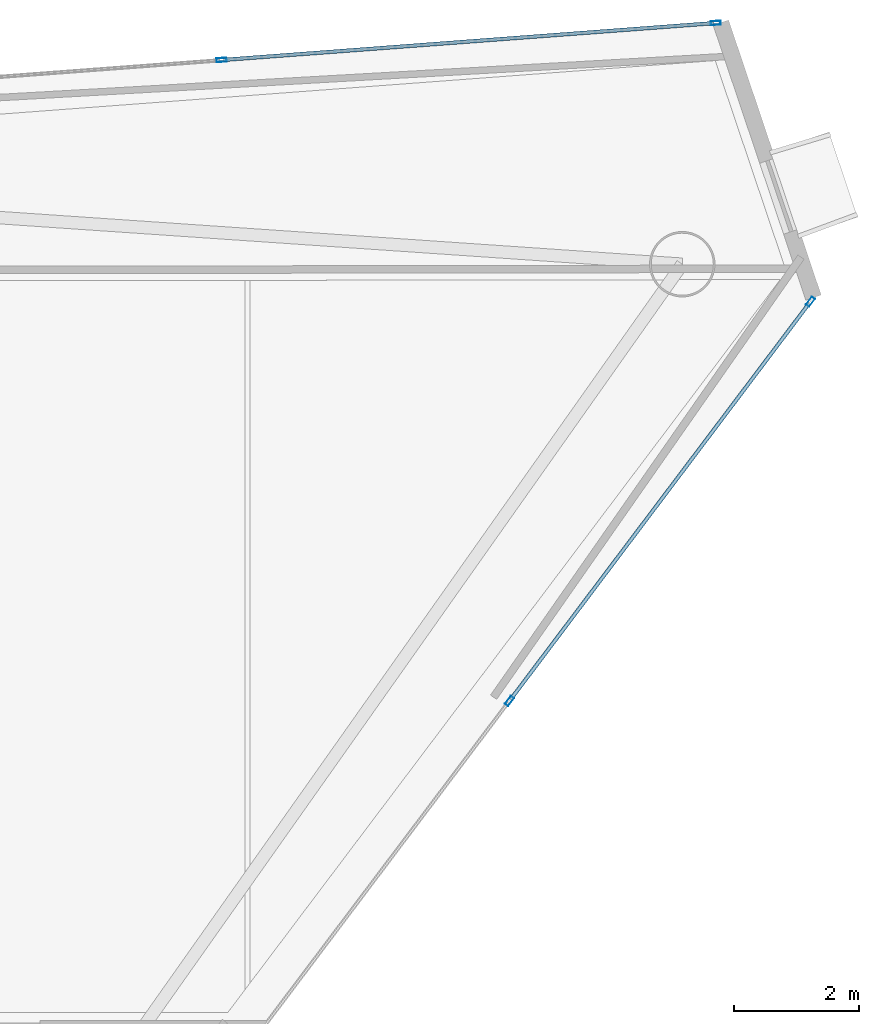
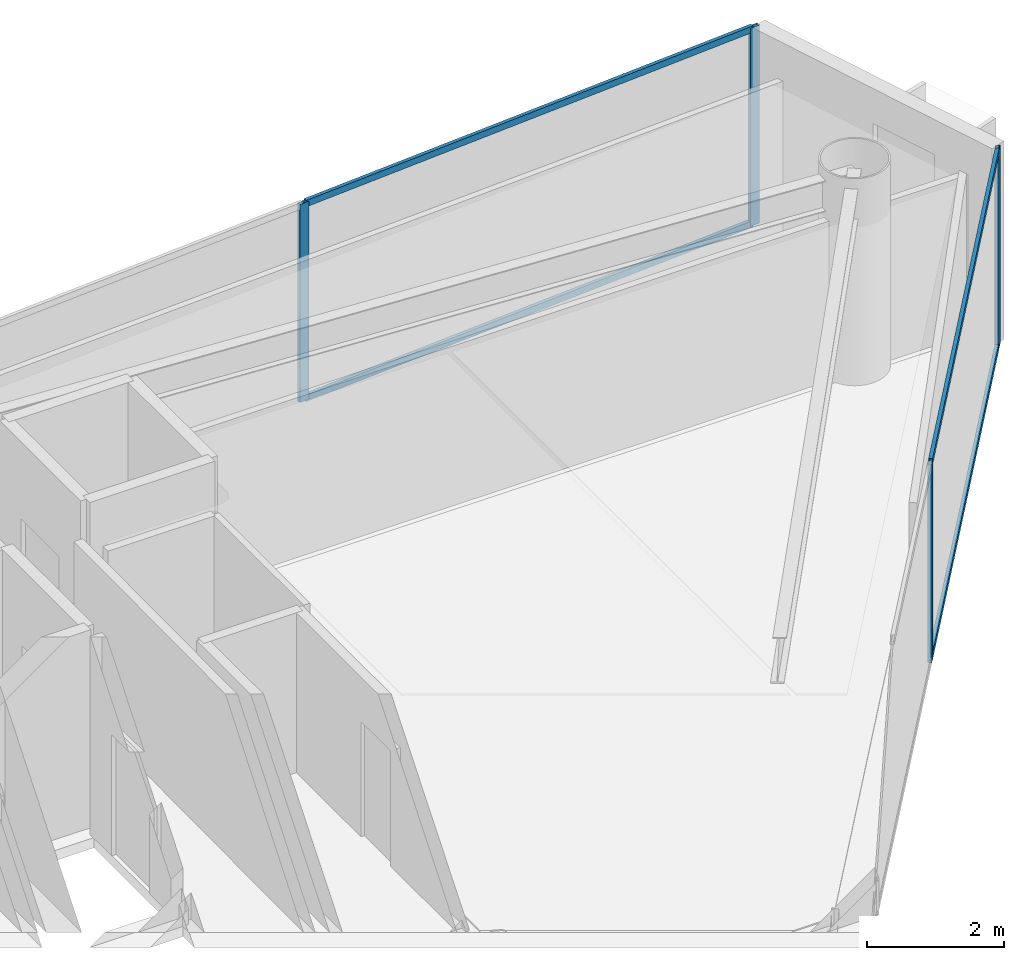
# One storey, part 12 of 19: 8 members, 2 elements without a shape of their own.
"""IFC4 building model written with IfcOpenShell, lengths in metres."""

from ifc_helpers import new_model, si_unit, direction, frame, origin, origin_2d, place, context, subcontext, project, spatial, hollow_rectangle, extrude, material, layer, layer_set, material_profile, profile_set, type_object, element, aggregate, save


model = new_model("IFC4")

# Units and contexts
model_context = context("Model", 3, precision=1e-05, world=origin(), true_north=direction((0.0, 1.0)))
body_context = subcontext(model_context, "Body", "Model", "MODEL_VIEW")
ifc_project = project(units=[si_unit("LENGTHUNIT", "METRE"), si_unit("AREAUNIT", "SQUARE_METRE"), si_unit("VOLUMEUNIT", "CUBIC_METRE"), si_unit("PLANEANGLEUNIT", "RADIAN"), si_unit("MASSUNIT", "GRAM", prefix="KILO")], contexts=[model_context])

# Site, building, storey
site_placement = place(None, origin())
site = spatial("IfcSite", under=ifc_project, at=site_placement, CompositionType="ELEMENT")
building_placement = place(site_placement, origin())
building = spatial("IfcBuilding", under=site, at=building_placement, Name="Qianvela Tower", CompositionType="ELEMENT")
storey_placement = place(building_placement, frame((0.0, 0.0, 268.60009765625)))
storey = spatial("IfcBuildingStorey", under=building, at=storey_placement, Name="L69", CompositionType="ELEMENT", Elevation=268.60009765625)

# Curtain wall, members
ifc_material_1 = material(Name="Anodised Architectural Aluminium and Low-E Glass", Category="aluminium")
ifc_layer = layer(ifc_material_1, 0.159912109375)
ifc_layer_set = layer_set([ifc_layer], Name="Anodised Architectural Aluminium and Low-E Glass")
curtain_wall_type = type_object("IfcCurtainWallType", Name="CW-COLIV-Z56", PredefinedType="USERDEFINED", material=ifc_layer_set)
curtain_wall_1_placement = place(storey_placement, origin())
curtain_wall_1 = element("IfcCurtainWall", 1, at=curtain_wall_1_placement, inside=storey, type_object=curtain_wall_type, Name="L69 CW-COLIV-Z56 Curtain Wall 02A", ObjectType="CURTAIN_WALL_SYSTEM", PredefinedType="USERDEFINED")
ifc_material_2 = material(Name="Anodised Architectural Aluminium 6063-T6", Category="aluminium")
ifc_material_profile_1 = material_profile(ifc_material_2, hollow_rectangle(XDim=0.06494140625, YDim=0.159912109375, WallThickness=0.0048828125, at=origin_2d()), Name="ALU-MULL-65x160")
ifc_profile_set_1 = profile_set([ifc_material_profile_1], Name="Anodised Architectural Aluminium 6063-T6")
member_type_1 = type_object("IfcMemberType", Name="CW-COLIV-Z56-MULL", PredefinedType="MULLION", material=ifc_profile_set_1)
member_1_placement = place(storey_placement, frame((55.868408203125, 38.4697265625, 0.0), z_axis=(0.0, 0.0, 1.0), x_axis=(0.074755324891, -0.997201906035, 0.0)))
member_1 = element("IfcMember", 2, at=member_1_placement, type_object=member_type_1, Name="CW-5 mullion 1", PredefinedType="MULLION", context=body_context, shape_type="SweptSolid", body=[
    extrude(hollow_rectangle(XDim=0.06494140625, YDim=0.159912109375, WallThickness=0.0048828125, at=origin_2d()), origin(), (0.0, 0.0, 1.0), 3.52001953125),
])
member_2_placement = place(storey_placement, frame((47.952880859375, 37.87646484375, 0.0), z_axis=(0.0, 0.0, 1.0), x_axis=(0.074755324891, -0.997201906035, 0.0)))
member_2 = element("IfcMember", 3, at=member_2_placement, type_object=member_type_1, Name="CW-5 mullion 2", PredefinedType="MULLION", context=body_context, shape_type="SweptSolid", body=[
    extrude(hollow_rectangle(XDim=0.06494140625, YDim=0.159912109375, WallThickness=0.0048828125, at=origin_2d()), origin(), (0.0, 0.0, 1.0), 3.52001953125),
])

curtain_wall_2_placement = place(storey_placement, origin())
curtain_wall_2 = element("IfcCurtainWall", 4, at=curtain_wall_2_placement, inside=storey, type_object=curtain_wall_type, Name="L69 CW-COLIV-Z56 Curtain Wall 06C", ObjectType="CURTAIN_WALL_SYSTEM", PredefinedType="USERDEFINED")
member_3_placement = place(storey_placement, frame((52.563720703125, 27.607421875, 0.0), z_axis=(0.0, 0.0, 1.0), x_axis=(-0.798563153146, 0.601911031996, 0.0)))
member_3 = element("IfcMember", 5, at=member_3_placement, type_object=member_type_1, Name="CW-5 mullion 2", PredefinedType="MULLION", context=body_context, shape_type="SweptSolid", body=[
    extrude(hollow_rectangle(XDim=0.06494140625, YDim=0.159912109375, WallThickness=0.0048828125, at=origin_2d()), origin(), (0.0, 0.0, 1.0), 3.52001953125),
])
member_4_placement = place(storey_placement, frame((57.38525390625, 34.004150390625, 0.0), z_axis=(0.0, 0.0, 1.0), x_axis=(-0.798563153146, 0.601911031996, 0.0)))
member_4 = element("IfcMember", 6, at=member_4_placement, type_object=member_type_1, Name="CW-5 mullion 3", PredefinedType="MULLION", context=body_context, shape_type="SweptSolid", body=[
    extrude(hollow_rectangle(XDim=0.06494140625, YDim=0.159912109375, WallThickness=0.0048828125, at=origin_2d()), origin(), (0.0, 0.0, 1.0), 3.52001953125),
])

# Member
ifc_material_3 = material(Name="Anodised Architectural Aluminium 6063-T6", Category="aluminium")
ifc_material_profile_2 = material_profile(ifc_material_3, hollow_rectangle(XDim=0.06005859375, YDim=0.114990234375, WallThickness=0.00390625, at=origin_2d()), Name="ALU-TRAN-60x115")
ifc_profile_set_2 = profile_set([ifc_material_profile_2], Name="Anodised Architectural Aluminium 6063-T6")
member_type_2 = type_object("IfcMemberType", Name="CW-COLIV-Z56-TRAN", PredefinedType="USERDEFINED", material=ifc_profile_set_2)
member_5_placement = place(storey_placement, frame((55.8359375, 38.46728515625, 0.02978515625), z_axis=(-0.99720324035, -0.074737523611, 0.0), x_axis=(0.074737523611, -0.99720324035, 0.0)))
member_5 = element("IfcMember", 7, at=member_5_placement, type_object=member_type_2, Name="CW-5 transom 1.1", ObjectType="TRANSOM", PredefinedType="USERDEFINED", context=body_context, shape_type="SweptSolid", body=[
    extrude(hollow_rectangle(XDim=0.06005859375, YDim=0.114990234375, WallThickness=0.00390625, at=origin_2d()), origin(), (0.0, 0.0, 1.0), 7.87255859375),
])

member_6_placement = place(storey_placement, frame((55.8359375, 38.46728515625, 3.489990234375), z_axis=(-0.99720324035, -0.074737523611, 0.0), x_axis=(0.074737523611, -0.99720324035, 0.0)))
member_6 = element("IfcMember", 8, at=member_6_placement, type_object=member_type_2, Name="CW-5 transom 1.2", ObjectType="TRANSOM", PredefinedType="USERDEFINED", context=body_context, shape_type="SweptSolid", body=[
    extrude(hollow_rectangle(XDim=0.06005859375, YDim=0.114990234375, WallThickness=0.00390625, at=origin_2d()), origin(), (0.0, 0.0, 1.0), 7.87255859375),
])

aggregate(curtain_wall_1, [member_1, member_2, member_5, member_6])

member_7_placement = place(storey_placement, frame((52.583251953125, 27.63330078125, 0.02978515625), z_axis=(0.601891137309, 0.798578148229, 0.0), x_axis=(-0.798578148229, 0.601891137309, 0.0)))
member_7 = element("IfcMember", 9, at=member_7_placement, type_object=member_type_2, Name="CW-5 transom 2.1", ObjectType="TRANSOM", PredefinedType="USERDEFINED", context=body_context, shape_type="SweptSolid", body=[
    extrude(hollow_rectangle(XDim=0.06005859375, YDim=0.114990234375, WallThickness=0.00390625, at=origin_2d()), origin(), (0.0, 0.0, 1.0), 7.9453125),
])

member_8_placement = place(storey_placement, frame((52.583251953125, 27.63330078125, 3.489990234375), z_axis=(0.601891137309, 0.798578148229, 0.0), x_axis=(-0.798578148229, 0.601891137309, 0.0)))
member_8 = element("IfcMember", 10, at=member_8_placement, type_object=member_type_2, Name="CW-5 transom 2.2", ObjectType="TRANSOM", PredefinedType="USERDEFINED", context=body_context, shape_type="SweptSolid", body=[
    extrude(hollow_rectangle(XDim=0.06005859375, YDim=0.114990234375, WallThickness=0.00390625, at=origin_2d()), origin(), (0.0, 0.0, 1.0), 7.9453125),
])

aggregate(curtain_wall_2, [member_3, member_4, member_7, member_8])

save(model, "model.ifc")
